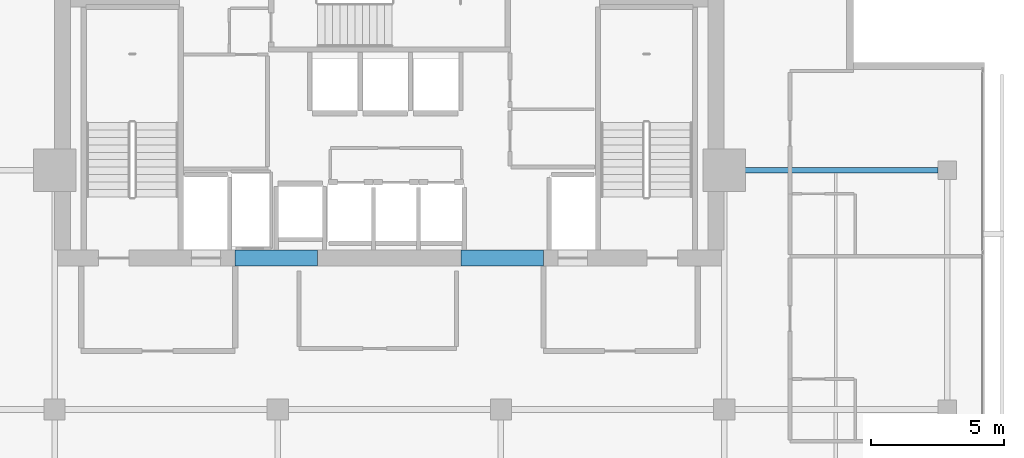
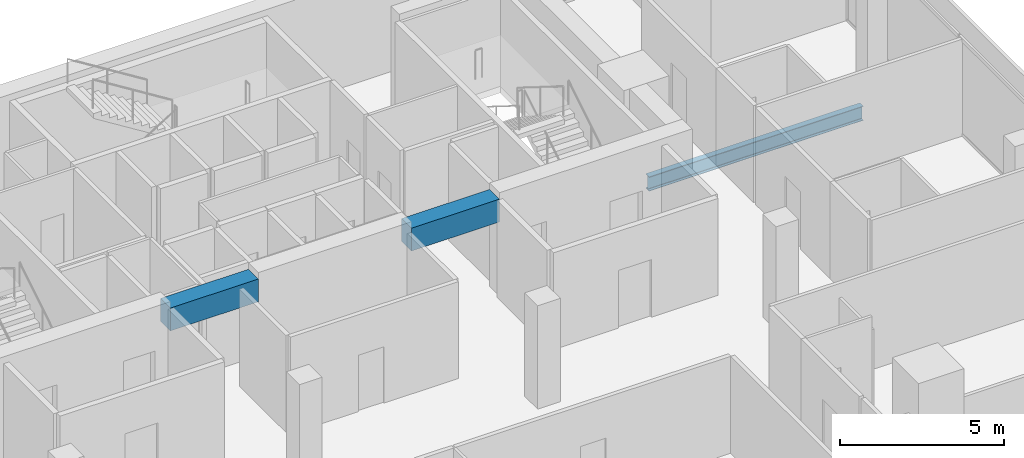
# One storey, part 17 of 25: 3 beams.
"""IFC4 building model written with IfcOpenShell, lengths in metres."""

from ifc_helpers import new_model, si_unit, direction, frame, origin, origin_2d, place, context, subcontext, project, spatial, rectangle, i_section, extrude, material, material_profile, profile_set, type_object, element, save


model = new_model("IFC4")

# Units and contexts
model_context = context("Model", 3, precision=1e-05, world=origin(), true_north=direction((0.0, 1.0)))
body_context = subcontext(model_context, "Body", "Model", "MODEL_VIEW")
ifc_project = project(units=[si_unit("LENGTHUNIT", "METRE"), si_unit("AREAUNIT", "SQUARE_METRE"), si_unit("VOLUMEUNIT", "CUBIC_METRE"), si_unit("PLANEANGLEUNIT", "RADIAN"), si_unit("MASSUNIT", "GRAM", prefix="KILO")], contexts=[model_context])

# Site, building, storey
site_placement = place(None, origin())
site = spatial("IfcSite", under=ifc_project, at=site_placement, CompositionType="ELEMENT")
building_placement = place(site_placement, origin())
building = spatial("IfcBuilding", under=site, at=building_placement, Name="Maruvema Waterfront Hotel and Observation Tower", CompositionType="ELEMENT")
storey_placement = place(building_placement, frame((0.0, 0.0, 247.10009765625)))
storey = spatial("IfcBuildingStorey", under=building, at=storey_placement, Name="L60", CompositionType="ELEMENT", Elevation=247.10009765625)

# Beams
ifc_material_1 = material(Name="Concrete C60/75", Category="concrete")
ifc_material_profile_1 = material_profile(ifc_material_1, rectangle(XDim=0.60009765625, YDim=0.85009765625, at=origin_2d()), Name="CB600x850")
ifc_profile_set_1 = profile_set([ifc_material_profile_1], Name="Concrete C60/75")
beam_type_1 = type_object("IfcBeamType", Name="Core Coupling Lintel Beam CB600x850", PredefinedType="LINTEL", material=ifc_profile_set_1)
for number, where, z_axis, x_axis, name in (
    (1, (32.0, 41.699951171875, 3.184814453125), (1.0, 0.0, 0.0), (0.0, 1.0, 0.0), "L60 Core Coupling Lintel Beam West"),
    (2, (40.5, 41.699951171875, 3.184814453125), (1.0, 0.0, 0.0), (0.0, 1.0, 0.0), "L60 Core Coupling Lintel Beam East"),
):
    element("IfcBeam", number, at=place(storey_placement, frame(where, z_axis=z_axis, x_axis=x_axis)), inside=storey, type_object=beam_type_1, Name=name, PredefinedType="LINTEL", context=body_context, shape_type="SweptSolid", body=[
        extrude(rectangle(XDim=0.60009765625, YDim=0.85009765625, at=origin_2d()), origin(), (0.0, 0.0, 1.0), 3.10009765625),
    ])
ifc_material_2 = material(Name="Steel ASTM A572 Grade 50", Category="steel")
ifc_material_profile_2 = material_profile(ifc_material_2, i_section(OverallWidth=0.208984375, OverallDepth=0.532958984375, WebThickness=0.01025390625, FlangeThickness=0.015625, FilletRadius=0.014892578125, at=origin_2d()), Name="W530x92.0")
ifc_profile_set_2 = profile_set([ifc_material_profile_2], Name="Steel ASTM A572 Grade 50")
beam_type_2 = type_object("IfcBeamType", Name="Primary Floor Girder W530x92.0", PredefinedType="BEAM", material=ifc_profile_set_2)
beam_placement = place(storey_placement, frame((50.89990234375, 45.0, -0.506591796875), z_axis=(1.0, 0.0, 0.0), x_axis=(0.0, 1.0, 0.0)))
element("IfcBeam", 3, at=beam_placement, inside=storey, type_object=beam_type_2, Name="L60 Floor Girder EW-18", PredefinedType="BEAM", context=body_context, shape_type="SweptSolid", body=[
    extrude(i_section(OverallWidth=0.208984375, OverallDepth=0.532958984375, WebThickness=0.01025390625, FlangeThickness=0.015625, FilletRadius=0.014892578125, at=origin_2d()), origin(), (0.0, 0.0, 1.0), 7.550048828125),
])

save(model, "model.ifc")
